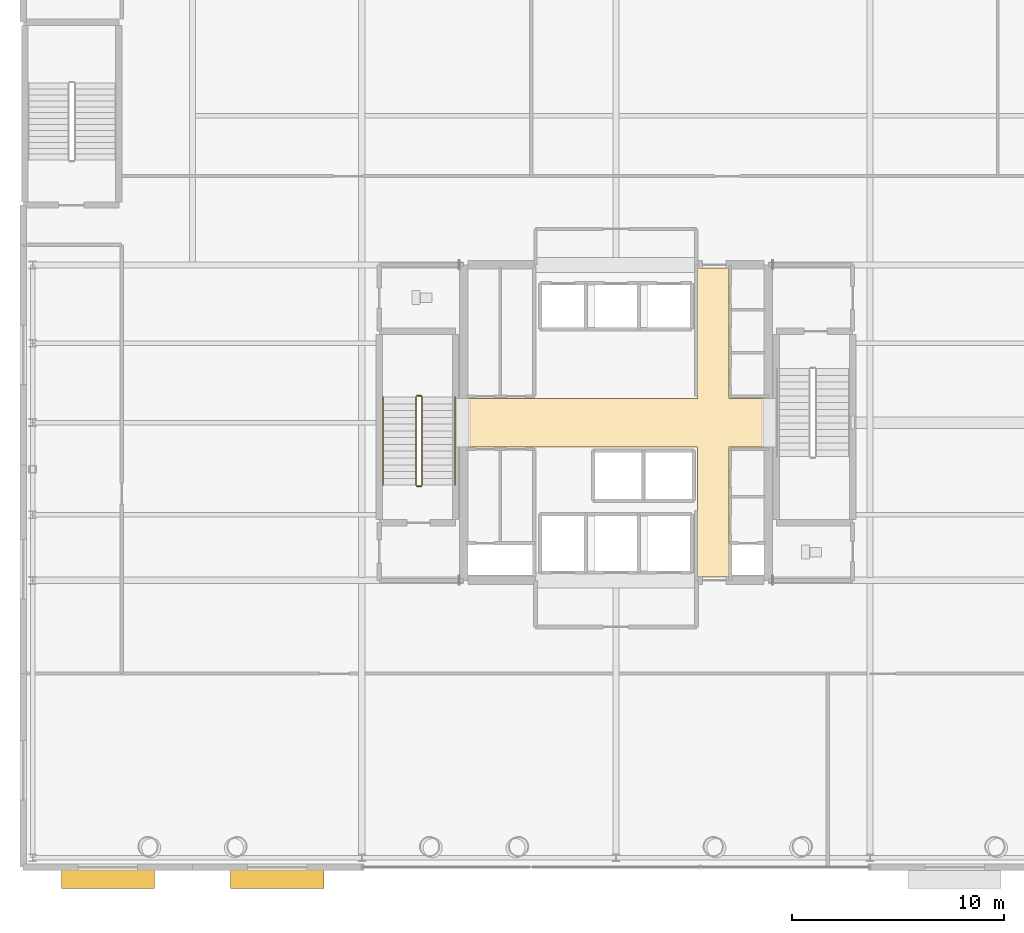
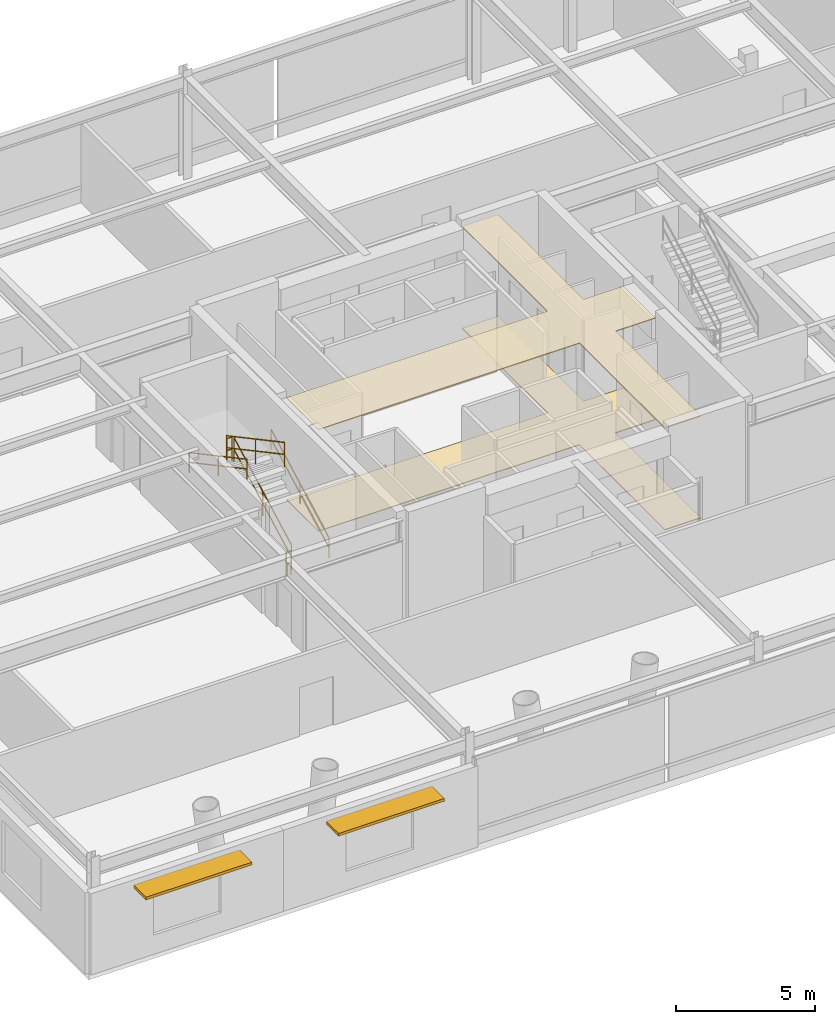
# One storey, part 23 of 26: 6 railings, 2 coverings, 2 shading devices.
"""IFC4 building model written with IfcOpenShell, lengths in metres."""

import ifcopenshell
import ifcopenshell.guid

model = None  # the IFC model being written
_history = None  # IfcOwnerHistory: only IFC2X3 demands one
_inside = {}  # id of a spatial element -> (the spatial element, [elements in it])
_under = {}  # id of a project, library or spatial element -> (it, [spatial elements below it])
_declared = {}  # id of a project -> (the project, [libraries it declares])
_typed = {}  # id of a type object -> (the type object, [elements of that type])
_made_of = {}  # id of a material, layer set ... -> (it, [elements and type objects made of it])


def new_model(schema):
    """Start an empty IFC model of exactly this schema.

    Asked for "IFC4X3", IfcOpenShell would pick the latest addendum, in which some entities
    have other attributes; the version numbers below select the first issue.
    IFC2X3 requires an IfcOwnerHistory on every rooted entity: one is made here for all.
    """
    global model, _history
    if schema == "IFC4X3":
        model = ifcopenshell.file(schema_version=(4, 3, 0, 0))
    else:
        model = ifcopenshell.file(schema=schema)
    _inside.clear()
    _under.clear()
    _declared.clear()
    _typed.clear()
    _made_of.clear()
    _history = None
    if model.schema == "IFC2X3":
        org = make("IfcOrganization", Name="unknown")
        user = make(
            "IfcPersonAndOrganization",
            ThePerson=make("IfcPerson", FamilyName="unknown"),
            TheOrganization=org,
        )
        app = make(
            "IfcApplication",
            ApplicationDeveloper=org,
            Version="unknown",
            ApplicationFullName="unknown",
            ApplicationIdentifier="unknown",
        )
        _history = make(
            "IfcOwnerHistory",
            OwningUser=user,
            OwningApplication=app,
            ChangeAction="ADDED",
            CreationDate=0,
        )
    return model


def make(cls, **values):
    """One entity of the class cls with the attributes given. An attribute that is None is left unset."""
    return model.create_entity(
        cls, **{name: value for name, value in values.items() if value is not None}
    )


def rooted(cls, **values):
    """An entity with a GlobalId (a new one), such as an element, a storey or a relation."""
    return make(cls, GlobalId=ifcopenshell.guid.new(), OwnerHistory=_history, **values)


def si_unit(unit_type, name, prefix=None):
    """IfcSIUnit, for example si_unit("LENGTHUNIT", "METRE", prefix="MILLI")."""
    return make("IfcSIUnit", UnitType=unit_type, Prefix=prefix, Name=name)


def assignment(units):
    """IfcUnitAssignment: the units of a project."""
    return None if units is None else make("IfcUnitAssignment", Units=units)


def point(xyz):
    """IfcCartesianPoint."""
    return None if xyz is None else make("IfcCartesianPoint", Coordinates=xyz)


def direction(xyz):
    """IfcDirection."""
    return None if xyz is None else make("IfcDirection", DirectionRatios=xyz)


def frame(location, z_axis=None, x_axis=None):
    """IfcAxis2Placement3D, a coordinate frame: its origin and axes. An axis left out is left unset."""
    return make(
        "IfcAxis2Placement3D",
        Location=point(location),
        Axis=direction(z_axis),
        RefDirection=direction(x_axis),
    )


def frame_2d(location, x_axis=None):
    """IfcAxis2Placement2D, a coordinate frame in the plane: its origin and x axis."""
    return make(
        "IfcAxis2Placement2D", Location=point(location), RefDirection=direction(x_axis)
    )


def origin():
    """The frame at (0, 0, 0) with its axes left unset."""
    return frame((0.0, 0.0, 0.0))


def origin_2d():
    """The frame at (0, 0) in the plane with its x axis left unset."""
    return frame_2d((0.0, 0.0))


def place(relative_to, where):
    """IfcLocalPlacement: puts the frame where relative to a parent placement (None: the world)."""
    return make(
        "IfcLocalPlacement", PlacementRelTo=relative_to, RelativePlacement=where
    )


def context(
    kind, dimensions, precision=None, world=None, true_north=None, identifier=None
):
    """IfcGeometricRepresentationContext, for example the 3D "Model" context."""
    return make(
        "IfcGeometricRepresentationContext",
        ContextIdentifier=identifier,
        ContextType=kind,
        CoordinateSpaceDimension=dimensions,
        Precision=precision,
        WorldCoordinateSystem=world,
        TrueNorth=true_north,
    )


def subcontext(parent, identifier, kind, view, scale=None):
    """IfcGeometricRepresentationSubContext, for example "Body" below "Model"."""
    return make(
        "IfcGeometricRepresentationSubContext",
        ContextIdentifier=identifier,
        ContextType=kind,
        ParentContext=parent,
        TargetScale=scale,
        TargetView=view,
    )


def project(units=None, contexts=None):
    """IfcProject with its units and contexts."""
    return rooted(
        "IfcProject",
        Name="project",
        RepresentationContexts=contexts,
        UnitsInContext=assignment(units),
    )


def spatial(cls, under=None, at=None, **own):
    """A site, building, storey or space (cls), placed at a placement, below another one or the project."""
    s = rooted(cls, ObjectPlacement=at, **own)
    if under is not None:
        _under.setdefault(under.id(), (under, []))[1].append(s)
    return s


def polyline(points):
    """IfcPolyline through the points."""
    return make("IfcPolyline", Points=[point(p) for p in points])


def profile(cls, at=None, kind="AREA", **sizes):
    """A parametric profile (cls). Its sizes go by their IFC names, for example OverallWidth=200.0."""
    return make(cls, ProfileType=kind, Position=at, **sizes)


def rectangle(**sizes):
    """IfcRectangleProfileDef."""
    return profile("IfcRectangleProfileDef", **sizes)


def circle(**sizes):
    """IfcCircleProfileDef."""
    return profile("IfcCircleProfileDef", **sizes)


def outline(outer, holes=None, kind="AREA"):
    """IfcArbitraryClosedProfileDef: a profile drawn as a closed curve; with holes, ...WithVoids."""
    if holes is None:
        return make("IfcArbitraryClosedProfileDef", ProfileType=kind, OuterCurve=outer)
    return make(
        "IfcArbitraryProfileDefWithVoids",
        ProfileType=kind,
        OuterCurve=outer,
        InnerCurves=holes,
    )


def extrude(swept, where, along, depth):
    """IfcExtrudedAreaSolid: the profile swept, set in the frame where, extruded along a direction by depth."""
    return make(
        "IfcExtrudedAreaSolid",
        SweptArea=swept,
        Position=where,
        ExtrudedDirection=direction(along),
        Depth=depth,
    )


def shape(context_of_items, identifier, shape_type, items):
    """IfcShapeRepresentation: the items that make up one representation, for example the "Body"."""
    return make(
        "IfcShapeRepresentation",
        ContextOfItems=context_of_items,
        RepresentationIdentifier=identifier,
        RepresentationType=shape_type,
        Items=items,
    )


def material(Name=None, Category=None):
    """IfcMaterial."""
    return make("IfcMaterial", Name=Name, Category=Category)


def layer(
    of_material, thickness, ventilated=None, Name=None, Category=None, Priority=None
):
    """IfcMaterialLayer: one layer of a wall or slab, of a material (None: an air gap)."""
    return make(
        "IfcMaterialLayer",
        Material=of_material,
        LayerThickness=thickness,
        IsVentilated=ventilated,
        Name=Name,
        Category=Category,
        Priority=Priority,
    )


def layer_set(layers, Name=None):
    """IfcMaterialLayerSet."""
    return make("IfcMaterialLayerSet", MaterialLayers=layers, LayerSetName=Name)


def made_of(thing, what):
    """Note that an element or type object is made of a material, layer set ...; save() writes the relation."""
    if what is not None:
        _made_of.setdefault(what.id(), (what, []))[1].append(thing)
    return thing


def type_object(cls, material=None, **own):
    """A type object (cls), such as IfcWallType, which elements share."""
    return made_of(rooted(cls, **own), material)


def element(
    cls,
    number,
    at=None,
    inside=None,
    cuts=None,
    type_object=None,
    material=None,
    context=None,
    identifier="Body",
    shape_type=None,
    held_by="IfcProductDefinitionShape",
    body=None,
    shapes=None,
    **own,
):
    """One element of the class cls, such as IfcWall. Its Tag is "e" and its number.

    at: its placement. inside: the storey or other place that contains it. cuts: it is an
    opening in that element (IfcRelVoidsElement). A single representation is given by context,
    identifier, shape_type and body (its items); several are given by shapes. held_by: the class
    of the entity that holds the representations. save() writes the other relations.
    """
    e = rooted(cls, Tag="e%d" % number, ObjectPlacement=at, **own)
    if body is not None:
        shapes = [shape(context, identifier, shape_type, body)]
    if shapes is not None:
        e.Representation = make(held_by, Representations=shapes)
    if inside is not None:
        _inside.setdefault(inside.id(), (inside, []))[1].append(e)
    if cuts is not None:
        rooted(
            "IfcRelVoidsElement", RelatingBuildingElement=cuts, RelatedOpeningElement=e
        )
    if type_object is not None:
        _typed.setdefault(type_object.id(), (type_object, []))[1].append(e)
    return made_of(e, material)


def aggregate(whole, parts):
    """IfcRelAggregates: a whole, such as a stair, and the parts it consists of."""
    return rooted("IfcRelAggregates", RelatingObject=whole, RelatedObjects=parts)


def save(model, path):
    """Write the relations noted so far, then the file.

    IfcRelAggregates (storeys below a building ...), IfcRelContainedInSpatialStructure (elements
    in a storey), IfcRelDefinesByType, IfcRelAssociatesMaterial and IfcRelDeclares: one each for
    every whole, place, type object, material and project.
    """
    for whole, parts in _under.values():
        aggregate(whole, parts)
    for where, things in _inside.values():
        rooted(
            "IfcRelContainedInSpatialStructure",
            RelatedElements=things,
            RelatingStructure=where,
        )
    for kind, things in _typed.values():
        rooted("IfcRelDefinesByType", RelatedObjects=things, RelatingType=kind)
    for what, things in _made_of.values():
        rooted("IfcRelAssociatesMaterial", RelatedObjects=things, RelatingMaterial=what)
    for by, libraries in _declared.values():
        rooted("IfcRelDeclares", RelatingContext=by, RelatedDefinitions=libraries)
    model.write(path)


model = new_model("IFC4")

# Units and contexts
model_context = context("Model", 3, precision=1e-05, world=origin(), true_north=direction((0.0, 1.0)))
body_context = subcontext(model_context, "Body", "Model", "MODEL_VIEW")
ifc_project = project(units=[si_unit("LENGTHUNIT", "METRE"), si_unit("AREAUNIT", "SQUARE_METRE"), si_unit("VOLUMEUNIT", "CUBIC_METRE"), si_unit("PLANEANGLEUNIT", "RADIAN"), si_unit("MASSUNIT", "GRAM", prefix="KILO")], contexts=[model_context])

# Site, building, storey
site_placement = place(None, origin())
site = spatial("IfcSite", under=ifc_project, at=site_placement, CompositionType="ELEMENT")
building_placement = place(site_placement, origin())
building = spatial("IfcBuilding", under=site, at=building_placement, Name="Veldorina Hangang Commons", CompositionType="ELEMENT")
storey_placement = place(building_placement, frame((0.0, 0.0, 10.0)))
storey = spatial("IfcBuildingStorey", under=building, at=storey_placement, Name="L02", CompositionType="ELEMENT", Elevation=10.0)

# Coverings
ifc_material_1 = material(Name="Mineral Fibre Acoustic Tile", Category="gypsum")
ifc_layer_1 = layer(ifc_material_1, 0.0400390625)
ifc_layer_set_1 = layer_set([ifc_layer_1], Name="Mineral Fibre Acoustic Tile")
covering_type_1 = type_object("IfcCoveringType", Name="COV-CEIL-AC60", PredefinedType="CEILING", material=ifc_layer_set_1)
covering_1_placement = place(storey_placement, frame((0.0, 0.0, 4.4599609375)))
element("IfcCovering", 1, at=covering_1_placement, inside=storey, type_object=covering_type_1, Name="L02 lobby suspended acoustic ceiling", PredefinedType="CEILING", context=body_context, shape_type="SweptSolid", body=[
    extrude(outline(polyline([(25.0, 22.85009765625), (35.85009765625, 22.85009765625), (35.85009765625, 16.699951171875), (37.35009765625, 16.699951171875), (37.35009765625, 22.85009765625), (39.0, 22.85009765625), (39.0, 25.14990234375), (37.35009765625, 25.14990234375), (37.35009765625, 31.300048828125), (35.85009765625, 31.300048828125), (35.85009765625, 25.14990234375), (25.0, 25.14990234375), (25.0, 22.85009765625)])), origin(), (0.0, 0.0, 1.0), 0.0400390625),
])
ifc_material_2 = material(Name="Stone Venetian Terrazzo", Category="masonry")
ifc_layer_2 = layer(ifc_material_2, 0.030029296875)
ifc_layer_set_2 = layer_set([ifc_layer_2], Name="Stone Venetian Terrazzo")
covering_type_2 = type_object("IfcCoveringType", Name="COV-FLR-TERZ", PredefinedType="FLOORING", material=ifc_layer_set_2)
covering_2_placement = place(storey_placement, origin())
element("IfcCovering", 2, at=covering_2_placement, inside=storey, type_object=covering_type_2, Name="L02 lobby terrazzo floor finish", PredefinedType="FLOORING", context=body_context, shape_type="SweptSolid", body=[
    extrude(outline(polyline([(25.0, 22.85009765625), (35.85009765625, 22.85009765625), (35.85009765625, 16.699951171875), (37.35009765625, 16.699951171875), (37.35009765625, 22.85009765625), (39.0, 22.85009765625), (39.0, 25.14990234375), (37.35009765625, 25.14990234375), (37.35009765625, 31.300048828125), (35.85009765625, 31.300048828125), (35.85009765625, 25.14990234375), (25.0, 25.14990234375), (25.0, 22.85009765625)])), origin(), (0.0, 0.0, 1.0), 0.030029296875),
])

# Railings
ifc_material_3 = material(Name="Steel Painted Balustrade", Category="steel")
railing_type_1 = type_object("IfcRailingType", Name="RL-GRD-STAIR", PredefinedType="GUARDRAIL", material=ifc_material_3)
railing_1_placement = place(storey_placement, frame((22.85009765625, 21.050048828125, 0.17138671875)))
element("IfcRailing", 3, at=railing_1_placement, inside=storey, type_object=railing_type_1, Name="L02 ST-1 stair guard 1", PredefinedType="GUARDRAIL", context=body_context, shape_type="SweptSolid", body=[
    extrude(circle(Radius=0.02392578125, at=origin_2d()), frame((0.0, 0.0, 1.076171875), z_axis=(0.0, 0.881480739103, 0.472219976908), x_axis=(-1.0, 0.0, 0.0)), (0.0, 0.0, 1.0), 4.71923828125),
    extrude(circle(Radius=0.02392578125, at=origin_2d()), frame((0.0, 0.0, 0.550048828125), z_axis=(0.0, 0.881480739103, 0.472219976908), x_axis=(-1.0, 0.0, 0.0)), (0.0, 0.0, 1.0), 4.71923828125),
    extrude(circle(Radius=0.02099609375, at=origin_2d()), origin(), (0.0, 0.0, 1.0), 1.052001953125),
    extrude(circle(Radius=0.02099609375, at=origin_2d()), frame((0.0, 2.080078125, 1.1142578125)), (0.0, 0.0, 1.0), 1.052001953125),
    extrude(circle(Radius=0.02099609375, at=origin_2d()), frame((0.0, 4.159912109375, 2.228515625)), (0.0, 0.0, 1.0), 1.052001953125),
])
railing_2_placement = place(storey_placement, frame((22.800048828125, 25.260009765625, 2.39990234375)))
element("IfcRailing", 4, at=railing_2_placement, inside=storey, type_object=railing_type_1, Name="L02 ST-1 stair guard 2", PredefinedType="GUARDRAIL", context=body_context, shape_type="SweptSolid", body=[
    extrude(circle(Radius=0.02392578125, at=origin_2d()), frame((0.0, 0.0, 1.076171875), z_axis=(-1.0, 0.0, 0.0), x_axis=(0.0, -1.0, 0.0)), (0.0, 0.0, 1.0), 0.199951171875),
    extrude(circle(Radius=0.02392578125, at=origin_2d()), frame((0.0, 0.0, 0.550048828125), z_axis=(-1.0, 0.0, 0.0), x_axis=(0.0, -1.0, 0.0)), (0.0, 0.0, 1.0), 0.199951171875),
    extrude(circle(Radius=0.02099609375, at=origin_2d()), origin(), (0.0, 0.0, 1.0), 1.052001953125),
    extrude(circle(Radius=0.02099609375, at=origin_2d()), frame((-0.199951171875, 0.0, 0.0)), (0.0, 0.0, 1.0), 1.052001953125),
])
railing_3_placement = place(storey_placement, frame((22.550048828125, 25.2099609375, 2.571533203125)))
element("IfcRailing", 5, at=railing_3_placement, inside=storey, type_object=railing_type_1, Name="L02 ST-1 stair guard 3", PredefinedType="GUARDRAIL", context=body_context, shape_type="SweptSolid", body=[
    extrude(circle(Radius=0.02392578125, at=origin_2d()), frame((0.0, 0.0, 1.076171875), z_axis=(0.0, -0.881480739103, 0.472219976908), x_axis=(1.0, 0.0, 0.0)), (0.0, 0.0, 1.0), 4.71923828125),
    extrude(circle(Radius=0.02392578125, at=origin_2d()), frame((0.0, 0.0, 0.550048828125), z_axis=(0.0, -0.881480739103, 0.472219976908), x_axis=(1.0, 0.0, 0.0)), (0.0, 0.0, 1.0), 4.71923828125),
    extrude(circle(Radius=0.02099609375, at=origin_2d()), origin(), (0.0, 0.0, 1.0), 1.052001953125),
    extrude(circle(Radius=0.02099609375, at=origin_2d()), frame((0.0, -2.080078125, 1.1142578125)), (0.0, 0.0, 1.0), 1.052001953125),
    extrude(circle(Radius=0.02099609375, at=origin_2d()), frame((0.0, -4.159912109375, 2.228515625)), (0.0, 0.0, 1.0), 1.052001953125),
])
railing_4_placement = place(storey_placement, frame((22.800048828125, 21.0, 0.0)))
element("IfcRailing", 6, at=railing_4_placement, inside=storey, type_object=railing_type_1, Name="L02 ST-1 stair guard 4", PredefinedType="GUARDRAIL", context=body_context, shape_type="SweptSolid", body=[
    extrude(circle(Radius=0.02392578125, at=origin_2d()), frame((0.0, 0.0, 1.076171875), z_axis=(-1.0, 0.0, 0.0), x_axis=(0.0, -1.0, 0.0)), (0.0, 0.0, 1.0), 0.199951171875),
    extrude(circle(Radius=0.02392578125, at=origin_2d()), frame((0.0, 0.0, 0.550048828125), z_axis=(-1.0, 0.0, 0.0), x_axis=(0.0, -1.0, 0.0)), (0.0, 0.0, 1.0), 0.199951171875),
    extrude(circle(Radius=0.02099609375, at=origin_2d()), origin(), (0.0, 0.0, 1.0), 1.052001953125),
    extrude(circle(Radius=0.02099609375, at=origin_2d()), frame((-0.199951171875, 0.0, 0.0)), (0.0, 0.0, 1.0), 1.052001953125),
])
ifc_material_4 = material(Name="Stainless Steel Brushed 316", Category="steel")
railing_type_2 = type_object("IfcRailingType", Name="RL-HND-STAIR", PredefinedType="HANDRAIL", material=ifc_material_4)
railing_5_placement = place(storey_placement, frame((24.39990234375, 21.050048828125, 0.17138671875)))
element("IfcRailing", 7, at=railing_5_placement, inside=storey, type_object=railing_type_2, Name="L02 ST-1 stair handrail 1", PredefinedType="HANDRAIL", context=body_context, shape_type="SweptSolid", body=[
    extrude(circle(Radius=0.02392578125, at=origin_2d()), frame((0.0, 0.0, 0.8759765625), z_axis=(0.0, 0.881480739103, 0.472219976908), x_axis=(-1.0, 0.0, 0.0)), (0.0, 0.0, 1.0), 4.71923828125),
    extrude(circle(Radius=0.02392578125, at=origin_2d()), frame((0.0, 0.0, 0.449951171875), z_axis=(0.0, 0.881480739103, 0.472219976908), x_axis=(-1.0, 0.0, 0.0)), (0.0, 0.0, 1.0), 4.71923828125),
    extrude(circle(Radius=0.02099609375, at=origin_2d()), origin(), (0.0, 0.0, 1.0), 0.851806640625),
    extrude(circle(Radius=0.02099609375, at=origin_2d()), frame((0.0, 2.080078125, 1.1142578125)), (0.0, 0.0, 1.0), 0.851806640625),
    extrude(circle(Radius=0.02099609375, at=origin_2d()), frame((0.0, 4.159912109375, 2.228515625)), (0.0, 0.0, 1.0), 0.851806640625),
])
railing_6_placement = place(storey_placement, frame((21.0, 25.2099609375, 2.571533203125)))
element("IfcRailing", 8, at=railing_6_placement, inside=storey, type_object=railing_type_2, Name="L02 ST-1 stair handrail 2", PredefinedType="HANDRAIL", context=body_context, shape_type="SweptSolid", body=[
    extrude(circle(Radius=0.02392578125, at=origin_2d()), frame((0.0, 0.0, 0.8759765625), z_axis=(0.0, -0.881480739103, 0.472219976908), x_axis=(1.0, 0.0, 0.0)), (0.0, 0.0, 1.0), 4.71923828125),
    extrude(circle(Radius=0.02392578125, at=origin_2d()), frame((0.0, 0.0, 0.449951171875), z_axis=(0.0, -0.881480739103, 0.472219976908), x_axis=(1.0, 0.0, 0.0)), (0.0, 0.0, 1.0), 4.71923828125),
    extrude(circle(Radius=0.02099609375, at=origin_2d()), origin(), (0.0, 0.0, 1.0), 0.851806640625),
    extrude(circle(Radius=0.02099609375, at=origin_2d()), frame((0.0, -2.080078125, 1.1142578125)), (0.0, 0.0, 1.0), 0.851806640625),
    extrude(circle(Radius=0.02099609375, at=origin_2d()), frame((0.0, -4.159912109375, 2.228515625)), (0.0, 0.0, 1.0), 0.851806640625),
])

# Shading devices
ifc_material_5 = material(Name="Stone Roman Travertine", Category="masonry")
ifc_layer_3 = layer(ifc_material_5, 0.1201171875)
ifc_layer_set_3 = layer_set([ifc_layer_3], Name="Stone Roman Travertine")
shading_device_type = type_object("IfcShadingDeviceType", Name="SHD-POD-4000", PredefinedType="USERDEFINED", material=ifc_layer_set_3)
for number, where, z_axis, x_axis, name in (
    (9, (8.0, 2.449951171875, 3.18994140625), (0.0, 0.0, 1.0), (1.0, 0.0, 0.0), "L02 south travertine sunshade S1"),
    (10, (16.0, 2.449951171875, 3.18994140625), (0.0, 0.0, 1.0), (1.0, 0.0, 0.0), "L02 south travertine sunshade S2"),
):
    element("IfcShadingDevice", number, at=place(storey_placement, frame(where, z_axis=z_axis, x_axis=x_axis)), inside=storey, type_object=shading_device_type, Name=name, ObjectType="SUNSHADE", PredefinedType="USERDEFINED", context=body_context, shape_type="SweptSolid", body=[
        extrude(rectangle(XDim=4.39990234375, YDim=0.89990234375, at=origin_2d()), origin(), (0.0, 0.0, 1.0), 0.1201171875),
    ])

save(model, "model.ifc")
